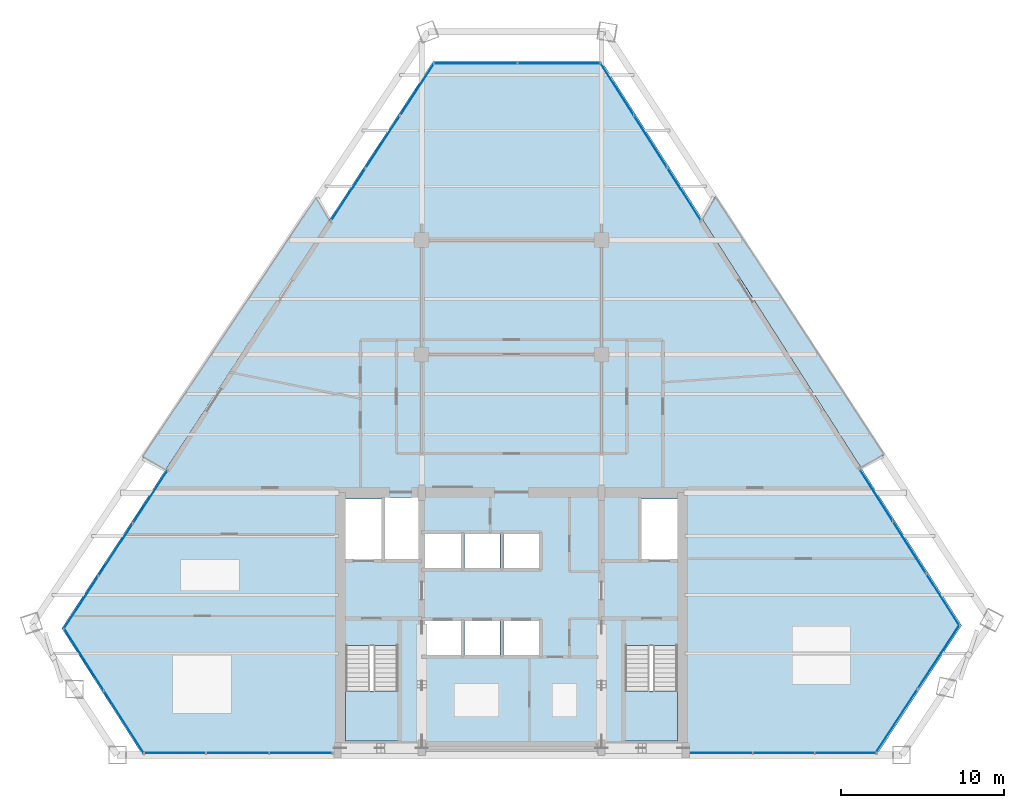
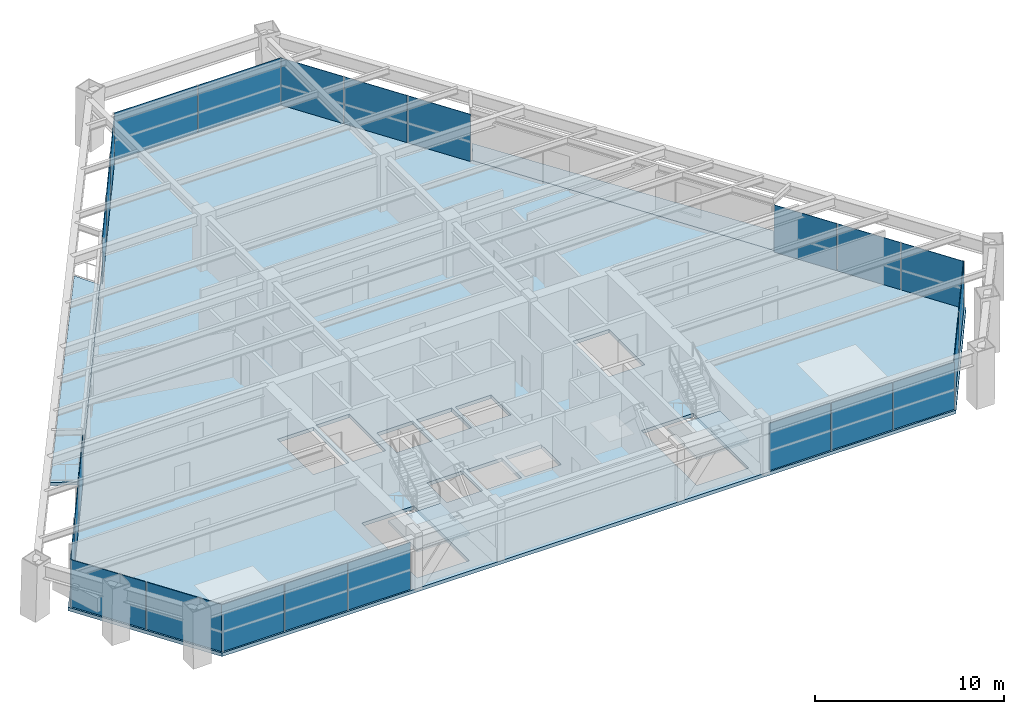
# One storey, part 9 of 14: 24 plates, 5 slabs, 11 elements without a shape of their own.
"""IFC4 building model written with IfcOpenShell, lengths in metres."""

from ifc_helpers import new_model, si_unit, direction, frame, origin, origin_2d, place, context, subcontext, project, spatial, polyline, rectangle, outline, extrude, source, transform, mapped, material, layer, layer_set, type_object, element, aggregate, save


model = new_model("IFC4")

# Units and contexts
model_context = context("Model", 3, precision=1e-05, world=origin(), true_north=direction((0.0, 1.0)))
body_context = subcontext(model_context, "Body", "Model", "MODEL_VIEW")
ifc_project = project(units=[si_unit("LENGTHUNIT", "METRE"), si_unit("AREAUNIT", "SQUARE_METRE"), si_unit("VOLUMEUNIT", "CUBIC_METRE"), si_unit("PLANEANGLEUNIT", "RADIAN"), si_unit("MASSUNIT", "GRAM", prefix="KILO")], contexts=[model_context])

# Site, building, storey
site_placement = place(None, origin())
site = spatial("IfcSite", under=ifc_project, at=site_placement, CompositionType="ELEMENT")
building_placement = place(site_placement, origin())
building = spatial("IfcBuilding", under=site, at=building_placement, Name="Varnakhor Terracotta Tower", CompositionType="ELEMENT")
storey_placement = place(building_placement, frame((0.0, 0.0, 133.0)))
storey = spatial("IfcBuildingStorey", under=building, at=storey_placement, Name="L33", CompositionType="ELEMENT", Elevation=133.0)

# Stair, slab
ifc_material_1 = material(Name="Concrete C40/50", Category="concrete")
stair_type = type_object("IfcStairType", Name="STR-CORE-OFFICE-1500", PredefinedType="HALF_TURN_STAIR", material=ifc_material_1)
stair_1_placement = place(storey_placement, origin())
stair_1 = element("IfcStair", 1, at=stair_1_placement, inside=storey, type_object=stair_type, Name="L33 Core Exit Stair ST-1", PredefinedType="HALF_TURN_STAIR")
ifc_layer_1 = layer(ifc_material_1, 0.179931640625, Name="Concrete C40/50")
ifc_layer_set_1 = layer_set([ifc_layer_1], Name="Concrete C40/50")
slab_type_1 = type_object("IfcSlabType", Name="SLB-LANDING-180", PredefinedType="LANDING", material=ifc_layer_set_1)
slab_1_placement = place(storey_placement, frame((0.0, 0.0, 1.64990234375)))
slab_1 = element("IfcSlab", 2, at=slab_1_placement, type_object=slab_type_1, Name="ST-1 landing 1", PredefinedType="LANDING", context=body_context, shape_type="SweptSolid", body=[
    extrude(outline(polyline([(-10.14990234375, 3.909912109375), (-10.14990234375, 0.85009765625), (-6.949951171875, 0.85009765625), (-6.949951171875, 3.909912109375), (-10.14990234375, 3.909912109375)])), origin(), (0.0, 0.0, 1.0), 0.2001953125),
])
aggregate(stair_1, [slab_1])

stair_2_placement = place(storey_placement, origin())
stair_2 = element("IfcStair", 3, at=stair_2_placement, inside=storey, type_object=stair_type, Name="L33 Core Exit Stair ST-2", PredefinedType="HALF_TURN_STAIR")
slab_2_placement = place(storey_placement, frame((0.0, 0.0, 1.64990234375)))
slab_2 = element("IfcSlab", 4, at=slab_2_placement, type_object=slab_type_1, Name="ST-2 landing 1", PredefinedType="LANDING", context=body_context, shape_type="SweptSolid", body=[
    extrude(outline(polyline([(6.949951171875, 3.909912109375), (6.949951171875, 0.85009765625), (10.14990234375, 0.85009765625), (10.14990234375, 3.909912109375), (6.949951171875, 3.909912109375)])), origin(), (0.0, 0.0, 1.0), 0.2001953125),
])
aggregate(stair_2, [slab_2])

# Slabs
ifc_layer_2 = layer(ifc_material_1, 0.195068359375, Name="Concrete C40/50")
ifc_layer_set_2 = layer_set([ifc_layer_2], Name="Concrete C40/50")
slab_type_2 = type_object("IfcSlabType", Name="SLB-LOGGIA-EXT-195", PredefinedType="FLOOR", material=ifc_layer_set_2)
slab_3_placement = place(storey_placement, frame((0.0, 0.0, -0.195068359375)))
element("IfcSlab", 5, at=slab_3_placement, inside=storey, type_object=slab_type_2, Name="L33 E Recessed Outdoor Loggia Slab", PredefinedType="FLOOR", context=body_context, shape_type="SweptSolid", body=[
    extrude(outline(polyline([(12.45361328125, 34.172119140625), (22.80322265625, 18.3447265625), (21.370849609375, 17.59423828125), (14.6904296875, 28.062744140625), (11.68359375, 32.7744140625), (12.45361328125, 34.172119140625)])), origin(), (0.0, 0.0, 1.0), 0.195068359375),
])
slab_4_placement = place(storey_placement, frame((0.0, 0.0, -0.195068359375)))
element("IfcSlab", 6, at=slab_4_placement, inside=storey, type_object=slab_type_2, Name="L33 W Recessed Outdoor Loggia Slab", PredefinedType="FLOOR", context=body_context, shape_type="SweptSolid", body=[
    extrude(outline(polyline([(-22.597900390625, 18.207275390625), (-11.935546875, 34.11865234375), (-11.16357421875, 32.722900390625), (-21.159912109375, 17.462646484375), (-22.597900390625, 18.207275390625)])), origin(), (0.0, 0.0, 1.0), 0.195068359375),
])
ifc_layer_3 = layer(ifc_material_1, 0.22998046875, Name="Concrete C40/50")
ifc_layer_set_3 = layer_set([ifc_layer_3], Name="Concrete C40/50")
slab_type_3 = type_object("IfcSlabType", Name="SLB-OFF-230", PredefinedType="FLOOR", material=ifc_layer_set_3)
slab_5_placement = place(storey_placement, frame((0.0, 0.0, -0.22998046875)))
element("IfcSlab", 7, at=slab_5_placement, inside=storey, type_object=slab_type_3, Name="L33 Structural Floor Slab", PredefinedType="FLOOR", context=body_context, shape_type="SweptSolid", body=[
    extrude(outline(polyline([(-27.521240234375, 7.75146484375), (-4.80224609375, 42.43408203125), (5.51904296875, 42.43408203125), (27.535400390625, 7.934326171875), (22.337890625, 0.0), (-22.57470703125, 0.0), (-27.521240234375, 7.75146484375)]), holes=[polyline([(-6.949951171875, 0.85009765625), (-6.949951171875, 6.695068359375), (-10.14990234375, 6.695068359375), (-10.14990234375, 0.85009765625), (-6.949951171875, 0.85009765625)]), polyline([(-3.10009765625, 6.10009765625), (-3.10009765625, 8.199951171875), (-5.300048828125, 8.199951171875), (-5.300048828125, 6.10009765625), (-3.10009765625, 6.10009765625)]), polyline([(-0.719970703125, 6.10009765625), (-0.719970703125, 8.199951171875), (-2.8798828125, 8.199951171875), (-2.8798828125, 6.10009765625), (-0.719970703125, 6.10009765625)]), polyline([(-5.300048828125, 11.419921875), (-3.10009765625, 11.419921875), (-3.10009765625, 13.52001953125), (-5.300048828125, 13.52001953125), (-5.300048828125, 11.419921875)]), polyline([(-10.14990234375, 11.8798828125), (-7.949951171875, 11.8798828125), (-7.949951171875, 15.64990234375), (-10.14990234375, 15.64990234375), (-10.14990234375, 11.8798828125)]), polyline([(-5.699951171875, 11.8798828125), (-5.699951171875, 15.75), (-7.72998046875, 15.75), (-7.72998046875, 11.8798828125), (-5.699951171875, 11.8798828125)]), polyline([(6.949951171875, 0.85009765625), (10.14990234375, 0.85009765625), (10.14990234375, 6.695068359375), (6.949951171875, 6.695068359375), (6.949951171875, 0.85009765625)]), polyline([(-0.5, 6.10009765625), (1.699951171875, 6.10009765625), (1.699951171875, 8.199951171875), (-0.5, 8.199951171875), (-0.5, 6.10009765625)]), polyline([(-0.719970703125, 11.419921875), (-0.719970703125, 13.52001953125), (-2.8798828125, 13.52001953125), (-2.8798828125, 11.419921875), (-0.719970703125, 11.419921875)]), polyline([(-0.5, 11.419921875), (1.699951171875, 11.419921875), (1.699951171875, 13.52001953125), (-0.5, 13.52001953125), (-0.5, 11.419921875)]), polyline([(7.949951171875, 11.8798828125), (10.14990234375, 11.8798828125), (10.14990234375, 15.64990234375), (7.949951171875, 15.64990234375), (7.949951171875, 11.8798828125)])]), origin(), (0.0, 0.0, 1.0), 0.22998046875),
])

# Curtain wall, plates
ifc_material_2 = material(Name="Anodised Aluminium Curtain Wall System", Category="aluminium")
curtain_wall_type = type_object("IfcCurtainWallType", Name="CW-SYS-MID-OFFICE", PredefinedType="NOTDEFINED", material=ifc_material_2)
curtain_wall_1_placement = place(storey_placement, origin())
curtain_wall_1 = element("IfcCurtainWall", 8, at=curtain_wall_1_placement, inside=storey, type_object=curtain_wall_type, Name="L33 W Facet Curtain Wall 1", PredefinedType="NOTDEFINED")
ifc_material_3 = material(Name="Solar-Control Low-E Insulated Glass Panel", Category="glass")
ifc_layer_4 = layer(ifc_material_3, 0.035888671875, Name="Solar-Control Low-E Insulated Glass Panel")
ifc_layer_set_4 = layer_set([ifc_layer_4], Name="Solar-Control Low-E Insulated Glass Panel")
plate_type = type_object("IfcPlateType", Name="CWP-03", PredefinedType="CURTAIN_PANEL", material=ifc_layer_set_4)
shared_shape_1 = source(origin(), body_context, "Body", "SweptSolid", [
    extrude(rectangle(XDim=3.809814453125, YDim=0.035888671875, at=origin_2d()), origin(), (0.0, 0.0, 1.0), 3.050048828125),
])
plate_1_placement = place(storey_placement, frame((-26.349853515625, 9.32080078125, 0.0), z_axis=(0.0, 0.0, 1.0), x_axis=(0.547957478573, 0.83650618747, 0.0)))
plate_1 = element("IfcPlate", 9, at=plate_1_placement, type_object=plate_type, Name="L33 W Facet Curtain Wall 1 Glazed Panel 1", PredefinedType="CURTAIN_PANEL", context=body_context, shape_type="MappedRepresentation", body=[
    mapped(shared_shape_1, transform((0.0, 0.0, 0.0), scale=1.0)),
])
plate_2_placement = place(storey_placement, frame((-24.240234375, 12.541259765625, 0.0), z_axis=(0.0, 0.0, 1.0), x_axis=(0.547957478573, 0.83650618747, 0.0)))
plate_2 = element("IfcPlate", 10, at=plate_2_placement, type_object=plate_type, Name="L33 W Facet Curtain Wall 1 Glazed Panel 2", PredefinedType="CURTAIN_PANEL", context=body_context, shape_type="MappedRepresentation", body=[
    mapped(shared_shape_1, transform((0.0, 0.0, 0.0), scale=1.0)),
])
plate_3_placement = place(storey_placement, frame((-22.130615234375, 15.761474609375, 0.0), z_axis=(0.0, 0.0, 1.0), x_axis=(0.547957478573, 0.83650618747, 0.0)))
plate_3 = element("IfcPlate", 11, at=plate_3_placement, type_object=plate_type, Name="L33 W Facet Curtain Wall 1 Glazed Panel 3", PredefinedType="CURTAIN_PANEL", context=body_context, shape_type="MappedRepresentation", body=[
    mapped(shared_shape_1, transform((0.0, 0.0, 0.0), scale=1.0)),
])
aggregate(curtain_wall_1, [plate_1, plate_2, plate_3])

curtain_wall_2_placement = place(storey_placement, origin())
curtain_wall_2 = element("IfcCurtainWall", 12, at=curtain_wall_2_placement, inside=storey, type_object=curtain_wall_type, Name="L33 W Facet Curtain Wall 2", PredefinedType="NOTDEFINED")
plate_4_placement = place(storey_placement, frame((-9.991943359375, 34.29248046875, 0.0), z_axis=(0.0, 0.0, 1.0), x_axis=(0.547957478573, 0.83650618747, 0.0)))
plate_4 = element("IfcPlate", 13, at=plate_4_placement, type_object=plate_type, Name="L33 W Facet Curtain Wall 2 Glazed Panel 1", PredefinedType="CURTAIN_PANEL", context=body_context, shape_type="MappedRepresentation", body=[
    mapped(shared_shape_1, transform((0.0, 0.0, 0.0), scale=1.0)),
])
plate_5_placement = place(storey_placement, frame((-7.882568359375, 37.512939453125, 0.0), z_axis=(0.0, 0.0, 1.0), x_axis=(0.547957478573, 0.83650618747, 0.0)))
plate_5 = element("IfcPlate", 14, at=plate_5_placement, type_object=plate_type, Name="L33 W Facet Curtain Wall 2 Glazed Panel 2", PredefinedType="CURTAIN_PANEL", context=body_context, shape_type="MappedRepresentation", body=[
    mapped(shared_shape_1, transform((0.0, 0.0, 0.0), scale=1.0)),
])
plate_6_placement = place(storey_placement, frame((-5.77294921875, 40.733154296875, 0.0), z_axis=(0.0, 0.0, 1.0), x_axis=(0.547957478573, 0.83650618747, 0.0)))
plate_6 = element("IfcPlate", 15, at=plate_6_placement, type_object=plate_type, Name="L33 W Facet Curtain Wall 2 Glazed Panel 3", PredefinedType="CURTAIN_PANEL", context=body_context, shape_type="MappedRepresentation", body=[
    mapped(shared_shape_1, transform((0.0, 0.0, 0.0), scale=1.0)),
])
aggregate(curtain_wall_2, [plate_4, plate_5, plate_6])

curtain_wall_3_placement = place(storey_placement, origin())
curtain_wall_3 = element("IfcCurtainWall", 16, at=curtain_wall_3_placement, inside=storey, type_object=curtain_wall_type, Name="L33 Facet Curtain Wall 2", PredefinedType="NOTDEFINED")
shared_shape_2 = source(origin(), body_context, "Body", "SweptSolid", [
    extrude(rectangle(XDim=5.090576171875, YDim=0.035888671875, at=origin_2d()), origin(), (0.0, 0.0, 1.0), 3.050048828125),
])
plate_7_placement = place(storey_placement, frame((-2.206787109375, 42.314208984375, 0.0), z_axis=(0.0, 0.0, 1.0), x_axis=(1.0, 0.0, 0.0)))
plate_7 = element("IfcPlate", 17, at=plate_7_placement, type_object=plate_type, Name="L33 Facet Curtain Wall 2 Glazed Panel 1", PredefinedType="CURTAIN_PANEL", context=body_context, shape_type="MappedRepresentation", body=[
    mapped(shared_shape_2, transform((0.0, 0.0, 0.0), scale=1.0)),
])
shared_shape_3 = source(origin(), body_context, "Body", "SweptSolid", [
    extrude(rectangle(XDim=5.0908203125, YDim=0.035888671875, at=origin_2d()), origin(), (0.0, 0.0, 1.0), 3.050048828125),
])
plate_8_placement = place(storey_placement, frame((2.923583984375, 42.314208984375, 0.0), z_axis=(0.0, 0.0, 1.0), x_axis=(1.0, 0.0, 0.0)))
plate_8 = element("IfcPlate", 18, at=plate_8_placement, type_object=plate_type, Name="L33 Facet Curtain Wall 2 Glazed Panel 2", PredefinedType="CURTAIN_PANEL", context=body_context, shape_type="MappedRepresentation", body=[
    mapped(shared_shape_3, transform((0.0, 0.0, 0.0), scale=1.0)),
])
aggregate(curtain_wall_3, [plate_7, plate_8])

curtain_wall_4_placement = place(storey_placement, origin())
curtain_wall_4 = element("IfcCurtainWall", 19, at=curtain_wall_4_placement, inside=storey, type_object=curtain_wall_type, Name="L33 E Facet Curtain Wall 1", PredefinedType="NOTDEFINED")
shared_shape_4 = source(origin(), body_context, "Body", "SweptSolid", [
    extrude(rectangle(XDim=3.759765625, YDim=0.035888671875, at=origin_2d()), origin(), (0.0, 0.0, 1.0), 3.050048828125),
])
plate_9_placement = place(storey_placement, frame((6.456298828125, 40.742919921875, 0.0), z_axis=(0.0, 0.0, 1.0), x_axis=(0.537947127985, -0.842978580685, 0.0)))
plate_9 = element("IfcPlate", 20, at=plate_9_placement, type_object=plate_type, Name="L33 E Facet Curtain Wall 1 Glazed Panel 1", PredefinedType="CURTAIN_PANEL", context=body_context, shape_type="MappedRepresentation", body=[
    mapped(shared_shape_4, transform((0.0, 0.0, 0.0), scale=1.0)),
])
plate_10_placement = place(storey_placement, frame((8.500244140625, 37.53955078125, 0.0), z_axis=(0.0, 0.0, 1.0), x_axis=(0.537947127985, -0.842978580685, 0.0)))
plate_10 = element("IfcPlate", 21, at=plate_10_placement, type_object=plate_type, Name="L33 E Facet Curtain Wall 1 Glazed Panel 2", PredefinedType="CURTAIN_PANEL", context=body_context, shape_type="MappedRepresentation", body=[
    mapped(shared_shape_4, transform((0.0, 0.0, 0.0), scale=1.0)),
])
plate_11_placement = place(storey_placement, frame((10.544189453125, 34.336669921875, 0.0), z_axis=(0.0, 0.0, 1.0), x_axis=(0.537947127985, -0.842978580685, 0.0)))
plate_11 = element("IfcPlate", 22, at=plate_11_placement, type_object=plate_type, Name="L33 E Facet Curtain Wall 1 Glazed Panel 3", PredefinedType="CURTAIN_PANEL", context=body_context, shape_type="MappedRepresentation", body=[
    mapped(shared_shape_4, transform((0.0, 0.0, 0.0), scale=1.0)),
])
aggregate(curtain_wall_4, [plate_9, plate_10, plate_11])

curtain_wall_5_placement = place(storey_placement, origin())
curtain_wall_5 = element("IfcCurtainWall", 23, at=curtain_wall_5_placement, inside=storey, type_object=curtain_wall_type, Name="L33 E Facet Curtain Wall 2", PredefinedType="NOTDEFINED")
plate_12_placement = place(storey_placement, frame((22.307861328125, 15.903076171875, 0.0), z_axis=(0.0, 0.0, 1.0), x_axis=(0.537947127985, -0.842978580685, 0.0)))
plate_12 = element("IfcPlate", 24, at=plate_12_placement, type_object=plate_type, Name="L33 E Facet Curtain Wall 2 Glazed Panel 1", PredefinedType="CURTAIN_PANEL", context=body_context, shape_type="MappedRepresentation", body=[
    mapped(shared_shape_4, transform((0.0, 0.0, 0.0), scale=1.0)),
])
plate_13_placement = place(storey_placement, frame((24.35205078125, 12.69970703125, 0.0), z_axis=(0.0, 0.0, 1.0), x_axis=(0.537947127985, -0.842978580685, 0.0)))
plate_13 = element("IfcPlate", 25, at=plate_13_placement, type_object=plate_type, Name="L33 E Facet Curtain Wall 2 Glazed Panel 2", PredefinedType="CURTAIN_PANEL", context=body_context, shape_type="MappedRepresentation", body=[
    mapped(shared_shape_4, transform((0.0, 0.0, 0.0), scale=1.0)),
])
plate_14_placement = place(storey_placement, frame((26.39599609375, 9.49658203125, 0.0), z_axis=(0.0, 0.0, 1.0), x_axis=(0.537947127985, -0.842978580685, 0.0)))
plate_14 = element("IfcPlate", 26, at=plate_14_placement, type_object=plate_type, Name="L33 E Facet Curtain Wall 2 Glazed Panel 3", PredefinedType="CURTAIN_PANEL", context=body_context, shape_type="MappedRepresentation", body=[
    mapped(shared_shape_4, transform((0.0, 0.0, 0.0), scale=1.0)),
])
aggregate(curtain_wall_5, [plate_12, plate_13, plate_14])

curtain_wall_6_placement = place(storey_placement, origin())
curtain_wall_6 = element("IfcCurtainWall", 27, at=curtain_wall_6_placement, inside=storey, type_object=curtain_wall_type, Name="L33 Facet Curtain Wall 4", PredefinedType="NOTDEFINED")
shared_shape_5 = source(origin(), body_context, "Body", "SweptSolid", [
    extrude(rectangle(XDim=4.672607421875, YDim=0.035888671875, at=origin_2d()), origin(), (0.0, 0.0, 1.0), 3.050048828125),
])
plate_15_placement = place(storey_placement, frame((26.12744140625, 6.004150390625, 0.0), z_axis=(0.0, 0.0, 1.0), x_axis=(-0.547957478573, -0.83650618747, 0.0)))
plate_15 = element("IfcPlate", 28, at=plate_15_placement, type_object=plate_type, Name="L33 Facet Curtain Wall 4 Glazed Panel 1", PredefinedType="CURTAIN_PANEL", context=body_context, shape_type="MappedRepresentation", body=[
    mapped(shared_shape_5, transform((0.0, 0.0, 0.0), scale=1.0)),
])
plate_16_placement = place(storey_placement, frame((23.54541015625, 2.06201171875, 0.0), z_axis=(0.0, 0.0, 1.0), x_axis=(-0.547957478573, -0.83650618747, 0.0)))
plate_16 = element("IfcPlate", 29, at=plate_16_placement, type_object=plate_type, Name="L33 Facet Curtain Wall 4 Glazed Panel 2", PredefinedType="CURTAIN_PANEL", context=body_context, shape_type="MappedRepresentation", body=[
    mapped(shared_shape_5, transform((0.0, 0.0, 0.0), scale=1.0)),
])
aggregate(curtain_wall_6, [plate_15, plate_16])

curtain_wall_7_placement = place(storey_placement, origin())
curtain_wall_7 = element("IfcCurtainWall", 30, at=curtain_wall_7_placement, inside=storey, type_object=curtain_wall_type, Name="L33 South Wing Curtain Wall SSE", PredefinedType="NOTDEFINED")
shared_shape_6 = source(origin(), body_context, "Body", "SweptSolid", [
    extrude(rectangle(XDim=3.74609375, YDim=0.035888671875, at=origin_2d()), origin(), (0.0, 0.0, 1.0), 3.050048828125),
])
plate_17_placement = place(storey_placement, frame((20.43505859375, 0.1201171875, 0.0), z_axis=(0.0, 0.0, 1.0), x_axis=(-1.0, 0.0, 0.0)))
plate_17 = element("IfcPlate", 31, at=plate_17_placement, type_object=plate_type, Name="L33 South Wing Curtain Wall SSE Glazed Panel 1", PredefinedType="CURTAIN_PANEL", context=body_context, shape_type="MappedRepresentation", body=[
    mapped(shared_shape_6, transform((0.0, 0.0, 0.0), scale=1.0)),
])
plate_18_placement = place(storey_placement, frame((16.64892578125, 0.1201171875, 0.0), z_axis=(0.0, 0.0, 1.0), x_axis=(-1.0, 0.0, 0.0)))
plate_18 = element("IfcPlate", 32, at=plate_18_placement, type_object=plate_type, Name="L33 South Wing Curtain Wall SSE Glazed Panel 2", PredefinedType="CURTAIN_PANEL", context=body_context, shape_type="MappedRepresentation", body=[
    mapped(shared_shape_6, transform((0.0, 0.0, 0.0), scale=1.0)),
])
plate_19_placement = place(storey_placement, frame((12.863037109375, 0.1201171875, 0.0), z_axis=(0.0, 0.0, 1.0), x_axis=(-1.0, 0.0, 0.0)))
plate_19 = element("IfcPlate", 33, at=plate_19_placement, type_object=plate_type, Name="L33 South Wing Curtain Wall SSE Glazed Panel 3", PredefinedType="CURTAIN_PANEL", context=body_context, shape_type="MappedRepresentation", body=[
    mapped(shared_shape_6, transform((0.0, 0.0, 0.0), scale=1.0)),
])
aggregate(curtain_wall_7, [plate_17, plate_18, plate_19])

curtain_wall_8_placement = place(storey_placement, origin())
curtain_wall_8 = element("IfcCurtainWall", 34, at=curtain_wall_8_placement, inside=storey, type_object=curtain_wall_type, Name="L33 South Wing Curtain Wall SSW", PredefinedType="NOTDEFINED")
shared_shape_7 = source(origin(), body_context, "Body", "SweptSolid", [
    extrude(rectangle(XDim=3.824951171875, YDim=0.035888671875, at=origin_2d()), origin(), (0.0, 0.0, 1.0), 3.050048828125),
])
plate_20_placement = place(storey_placement, frame((-12.90234375, 0.1201171875, 0.0), z_axis=(0.0, 0.0, 1.0), x_axis=(-1.0, 0.0, 0.0)))
plate_20 = element("IfcPlate", 35, at=plate_20_placement, type_object=plate_type, Name="L33 South Wing Curtain Wall SSW Glazed Panel 1", PredefinedType="CURTAIN_PANEL", context=body_context, shape_type="MappedRepresentation", body=[
    mapped(shared_shape_7, transform((0.0, 0.0, 0.0), scale=1.0)),
])
plate_21_placement = place(storey_placement, frame((-20.632080078125, 0.1201171875, 0.0), z_axis=(0.0, 0.0, 1.0), x_axis=(-1.0, 0.0, 0.0)))
plate_21 = element("IfcPlate", 36, at=plate_21_placement, type_object=plate_type, Name="L33 South Wing Curtain Wall SSW Glazed Panel 3", PredefinedType="CURTAIN_PANEL", context=body_context, shape_type="MappedRepresentation", body=[
    mapped(shared_shape_7, transform((0.0, 0.0, 0.0), scale=1.0)),
])
shared_shape_8 = source(origin(), body_context, "Body", "SweptSolid", [
    extrude(rectangle(XDim=3.82470703125, YDim=0.035888671875, at=origin_2d()), origin(), (0.0, 0.0, 1.0), 3.050048828125),
])
plate_22_placement = place(storey_placement, frame((-16.767333984375, 0.1201171875, 0.0), z_axis=(0.0, 0.0, 1.0), x_axis=(-1.0, 0.0, 0.0)))
plate_22 = element("IfcPlate", 37, at=plate_22_placement, type_object=plate_type, Name="L33 South Wing Curtain Wall SSW Glazed Panel 2", PredefinedType="CURTAIN_PANEL", context=body_context, shape_type="MappedRepresentation", body=[
    mapped(shared_shape_8, transform((0.0, 0.0, 0.0), scale=1.0)),
])
aggregate(curtain_wall_8, [plate_20, plate_22, plate_21])

curtain_wall_9_placement = place(storey_placement, origin())
curtain_wall_9 = element("IfcCurtainWall", 38, at=curtain_wall_9_placement, inside=storey, type_object=curtain_wall_type, Name="L33 Facet Curtain Wall 6", PredefinedType="NOTDEFINED")
shared_shape_9 = source(origin(), body_context, "Body", "SweptSolid", [
    extrude(rectangle(XDim=4.527587890625, YDim=0.035888671875, at=origin_2d()), origin(), (0.0, 0.0, 1.0), 3.050048828125),
])
plate_23_placement = place(storey_placement, frame((-23.71826171875, 2.01513671875, 0.0), z_axis=(0.0, 0.0, 1.0), x_axis=(-0.537961840655, 0.842969191608, 0.0)))
plate_23 = element("IfcPlate", 39, at=plate_23_placement, type_object=plate_type, Name="L33 Facet Curtain Wall 6 Glazed Panel 1", PredefinedType="CURTAIN_PANEL", context=body_context, shape_type="MappedRepresentation", body=[
    mapped(shared_shape_9, transform((0.0, 0.0, 0.0), scale=1.0)),
])
plate_24_placement = place(storey_placement, frame((-26.17529296875, 5.865478515625, 0.0), z_axis=(0.0, 0.0, 1.0), x_axis=(-0.537961840655, 0.842969191608, 0.0)))
plate_24 = element("IfcPlate", 40, at=plate_24_placement, type_object=plate_type, Name="L33 Facet Curtain Wall 6 Glazed Panel 2", PredefinedType="CURTAIN_PANEL", context=body_context, shape_type="MappedRepresentation", body=[
    mapped(shared_shape_9, transform((0.0, 0.0, 0.0), scale=1.0)),
])
aggregate(curtain_wall_9, [plate_23, plate_24])

save(model, "model.ifc")
